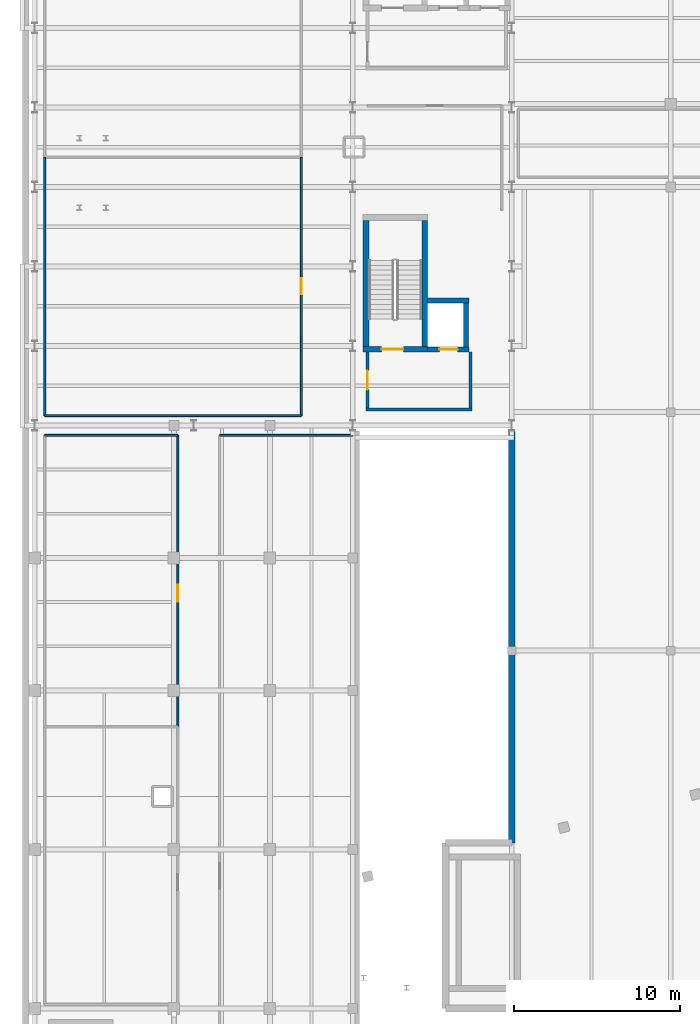
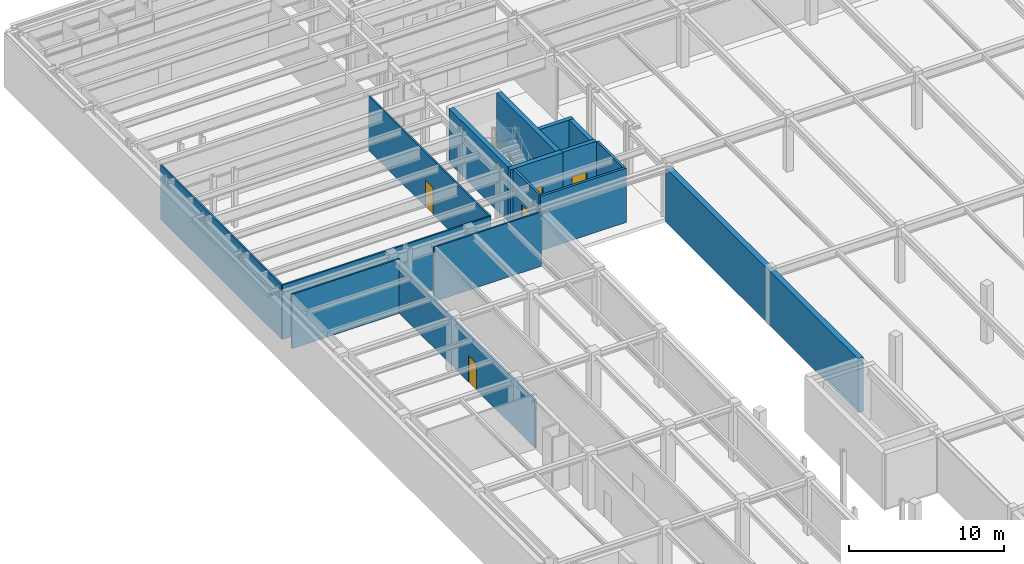
# One storey, part 20 of 32: 16 walls, 5 doors, 5 openings.
"""IFC4 building model written with IfcOpenShell, lengths in metres."""

from ifc_helpers import new_model, si_unit, direction, frame, frame_2d, origin, place, context, subcontext, project, spatial, rectangle, extrude, material, layer, layer_set, type_object, element, fill, save


model = new_model("IFC4")

# Units and contexts
model_context = context("Model", 3, precision=1e-05, world=origin(), true_north=direction((0.0, 1.0)))
body_context = subcontext(model_context, "Body", "Model", "MODEL_VIEW")
ifc_project = project(units=[si_unit("LENGTHUNIT", "METRE"), si_unit("AREAUNIT", "SQUARE_METRE"), si_unit("VOLUMEUNIT", "CUBIC_METRE"), si_unit("PLANEANGLEUNIT", "RADIAN"), si_unit("MASSUNIT", "GRAM", prefix="KILO")], contexts=[model_context])

# Site, building, storey
site_placement = place(None, origin())
site = spatial("IfcSite", under=ifc_project, at=site_placement, CompositionType="ELEMENT")
building_placement = place(site_placement, origin())
building = spatial("IfcBuilding", under=site, at=building_placement, Name="Nordkorset Police Headquarters", CompositionType="ELEMENT")
storey_placement = place(building_placement, frame((0.0, 0.0, -4.550048828125)))
storey = spatial("IfcBuildingStorey", under=building, at=storey_placement, Name="B01", CompositionType="ELEMENT", Elevation=-4.550048828125)

# Wall
ifc_material_1 = material(Name="Gypsum board", Category="gypsum")
ifc_layer_1 = layer(ifc_material_1, 0.179931640625, Name="Gypsum board")
ifc_layer_set_1 = layer_set([ifc_layer_1], Name="Gypsum board")
wall_type_1 = type_object("IfcWallType", Name="Wall_Comp_180", PredefinedType="PARTITIONING", material=ifc_layer_set_1)
wall_1_placement = place(storey_placement, frame((20.0, 84.159912109375, 0.0), z_axis=(0.0, 0.0, 1.0), x_axis=(1.0, 0.0, 0.0)))
element("IfcWall", 1, at=wall_1_placement, inside=storey, type_object=wall_type_1, Name="Firefighting Lobby EI 60 Wall K3 B01 S", PredefinedType="PARTITIONING", context=body_context, shape_type="SweptSolid", body=[
    extrude(rectangle(XDim=6.39990234375, YDim=0.179931640625, at=frame_2d((3.199951171875, 0.0))), origin(), (0.0, 0.0, 1.0), 4.280029296875),
])

# Wall, opening, door
wall_2_placement = place(storey_placement, frame((20.090087890625, 84.25, 0.0), z_axis=(0.0, 0.0, 1.0), x_axis=(0.0, 1.0, 0.0)))
wall_2 = element("IfcWall", 2, at=wall_2_placement, inside=storey, type_object=wall_type_1, Name="Firefighting Lobby EI 60 Wall K3 B01 W", PredefinedType="PARTITIONING", context=body_context, shape_type="SweptSolid", body=[
    extrude(rectangle(XDim=3.375, YDim=0.179931640625, at=frame_2d((1.6875, 0.0))), origin(), (0.0, 0.0, 1.0), 4.280029296875),
])
opening_1_placement = place(wall_2_placement, frame((1.112548828125, 0.0, 0.0)))
opening_1 = element("IfcOpeningElement", 3, at=opening_1_placement, cuts=wall_2, Name="Opening DR-01", PredefinedType="OPENING", context=body_context, shape_type="SweptSolid", body=[
    extrude(rectangle(XDim=1.14990234375, YDim=2.14990234375, at=frame_2d((0.574951171875, 1.074951171875))), frame((0.0, 0.10009765625, 0.0), z_axis=(0.0, -1.0, 0.0), x_axis=(1.0, 0.0, 0.0)), (0.0, 0.0, 1.0), 0.199951171875),
])
ifc_material_2 = material(Name="Steel S355J2", Category="steel")
door_type_1 = type_object("IfcDoorType", Name="Door_LobbySingle_1150x2150", OperationType="NOTDEFINED", PredefinedType="DOOR", material=ifc_material_2)
door_1_placement = place(opening_1_placement, origin())
door_1 = element("IfcDoor", 4, at=door_1_placement, inside=storey, type_object=door_type_1, Name="Firefighting Lobby Smoke Door K3 B01 W", OperationType="SINGLE_SWING_RIGHT", OverallHeight=2.14990234375, OverallWidth=1.14990234375, PredefinedType="DOOR", context=body_context, shape_type="SweptSolid", body=[
    extrude(rectangle(XDim=1.14990234375, YDim=2.14990234375, at=frame_2d((0.574951171875, 1.074951171875))), frame((0.0, 0.02490234375, 0.0), z_axis=(0.0, -1.0, 0.0), x_axis=(1.0, 0.0, 0.0)), (0.0, 0.0, 1.0), 0.050048828125),
])
fill(opening_1, door_1)

# Wall
wall_3_placement = place(storey_placement, frame((26.31005859375, 84.25, 0.0), z_axis=(0.0, 0.0, 1.0), x_axis=(0.0, 1.0, 0.0)))
element("IfcWall", 5, at=wall_3_placement, inside=storey, type_object=wall_type_1, Name="Firefighting Lobby EI 60 Wall K3 B01 E", PredefinedType="PARTITIONING", context=body_context, shape_type="SweptSolid", body=[
    extrude(rectangle(XDim=3.375, YDim=0.179931640625, at=frame_2d((1.6875, 0.0))), origin(), (0.0, 0.0, 1.0), 4.280029296875),
])

# Wall, opening, door
ifc_material_3 = material(Name="Concrete C35/45", Category="concrete")
ifc_layer_2 = layer(ifc_material_3, 0.35009765625, Name="Concrete C35/45")
ifc_layer_set_2 = layer_set([ifc_layer_2], Name="Concrete C35/45")
wall_type_2 = type_object("IfcWallType", Name="Wall_CoreShear_350", PredefinedType="SHEAR", material=ifc_layer_set_2)
wall_4_placement = place(storey_placement, frame((19.824951171875, 87.800048828125, 0.0), z_axis=(0.0, 0.0, 1.0), x_axis=(1.0, 0.0, 0.0)))
wall_4 = element("IfcWall", 6, at=wall_4_placement, inside=storey, type_object=wall_type_2, Name="Core K3 Stair Shaft South Shear Wall B01", PredefinedType="SHEAR", context=body_context, shape_type="SweptSolid", body=[
    extrude(rectangle(XDim=3.900146484375, YDim=0.35009765625, at=frame_2d((1.9501953125, 0.0))), origin(), (0.0, 0.0, 1.0), 4.280029296875),
])
opening_2_placement = place(wall_4_placement, frame((1.125, 0.0, 0.0)))
opening_2 = element("IfcOpeningElement", 7, at=opening_2_placement, cuts=wall_4, Name="Opening DR-20", PredefinedType="OPENING", context=body_context, shape_type="SweptSolid", body=[
    extrude(rectangle(XDim=1.300048828125, YDim=2.14990234375, at=frame_2d((0.64990234375, 1.074951171875))), frame((0.0, 0.18505859375, 0.0), z_axis=(0.0, -1.0, 0.0), x_axis=(1.0, 0.0, 0.0)), (0.0, 0.0, 1.0), 0.3701171875),
])
ifc_material_4 = material(Name="Steel S355J2", Category="steel")
door_type_2 = type_object("IfcDoorType", Name="Door_Stair_1300x2150", OperationType="NOTDEFINED", PredefinedType="DOOR", material=ifc_material_4)
door_2_placement = place(opening_2_placement, frame((1.300048828125, 0.0, 0.0), z_axis=(0.0, 0.0, 1.0), x_axis=(-1.0, 0.0, 0.0)))
door_2 = element("IfcDoor", 8, at=door_2_placement, inside=storey, type_object=door_type_2, Name="Protected Stair Fire Door ST-03 B01", OperationType="SINGLE_SWING_LEFT", OverallHeight=2.14990234375, OverallWidth=1.300048828125, PredefinedType="DOOR", context=body_context, shape_type="SweptSolid", body=[
    extrude(rectangle(XDim=1.300048828125, YDim=2.14990234375, at=frame_2d((0.64990234375, 1.074951171875))), frame((0.0, 0.02490234375, 0.0), z_axis=(0.0, -1.0, 0.0), x_axis=(1.0, 0.0, 0.0)), (0.0, 0.0, 1.0), 0.050048828125),
])
fill(opening_2, door_2)

# Walls
for number, where, z_axis, x_axis, name in (
    (9, (20.0, 87.97509765625, 0.0), (0.0, 0.0, 1.0), (0.0, 1.0, 0.0), "Core K3 Stair Shaft West Shear Wall B01"),
    (10, (23.550048828125, 87.97509765625, 0.0), (0.0, 0.0, 1.0), (0.0, 1.0, 0.0), "Core K3 Stair Shaft East Shear Wall B01"),
):
    element("IfcWall", number, at=place(storey_placement, frame(where, z_axis=z_axis, x_axis=x_axis)), inside=storey, type_object=wall_type_2, Name=name, PredefinedType="SHEAR", context=body_context, shape_type="SweptSolid", body=[
        extrude(rectangle(XDim=7.599853515625, YDim=0.35009765625, at=frame_2d((3.7998046875, 0.0))), origin(), (0.0, 0.0, 1.0), 4.280029296875),
    ])
ifc_material_5 = material(Name="Gypsum board", Category="gypsum")
ifc_layer_3 = layer(ifc_material_5, 0.1201171875, Name="Gypsum board")
ifc_layer_set_3 = layer_set([ifc_layer_3], Name="Gypsum board")
wall_type_3 = type_object("IfcWallType", Name="Wall_Part_120", PredefinedType="PARTITIONING", material=ifc_layer_set_3)
wall_5_placement = place(storey_placement, frame((0.60009765625, 83.800048828125, 0.0), z_axis=(0.0, 0.0, 1.0), x_axis=(1.0, 0.0, 0.0)))
element("IfcWall", 11, at=wall_5_placement, inside=storey, type_object=wall_type_3, Name="Interior Partition Wall Patrol Shift Mustering Room", PredefinedType="PARTITIONING", context=body_context, shape_type="SweptSolid", body=[
    extrude(rectangle(XDim=15.5, YDim=0.1201171875, at=frame_2d((7.75, 0.0))), origin(), (0.0, 0.0, 1.0), 4.280029296875),
])

# Wall, opening, door
wall_6_placement = place(storey_placement, frame((16.10009765625, 83.800048828125, 0.0), z_axis=(0.0, 0.0, 1.0), x_axis=(0.0, 1.0, 0.0)))
wall_6 = element("IfcWall", 12, at=wall_6_placement, inside=storey, type_object=wall_type_3, Name="Interior Partition Wall Patrol Shift Mustering Room", PredefinedType="PARTITIONING", context=body_context, shape_type="SweptSolid", body=[
    extrude(rectangle(XDim=15.599853515625, YDim=0.1201171875, at=frame_2d((7.7998046875, 0.0))), origin(), (0.0, 0.0, 1.0), 4.280029296875),
])
opening_3_placement = place(wall_6_placement, frame((7.31005859375, 0.0, 0.0)))
opening_3 = element("IfcOpeningElement", 13, at=opening_3_placement, cuts=wall_6, Name="Opening DR-18", PredefinedType="OPENING", context=body_context, shape_type="SweptSolid", body=[
    extrude(rectangle(XDim=0.97998046875, YDim=2.10009765625, at=frame_2d((0.489990234375, 1.050048828125))), frame((0.0, 0.070068359375, 0.0), z_axis=(0.0, -1.0, 0.0), x_axis=(1.0, 0.0, 0.0)), (0.0, 0.0, 1.0), 0.14013671875),
])
ifc_material_6 = material(Name="Glulam GL30c", Category="wood")
door_type_3 = type_object("IfcDoorType", Name="Door_Office_980x2100", OperationType="NOTDEFINED", PredefinedType="DOOR", material=ifc_material_6)
door_3_placement = place(opening_3_placement, frame((0.97998046875, 0.0, 0.0), z_axis=(0.0, 0.0, 1.0), x_axis=(-1.0, 0.0, 0.0)))
door_3 = element("IfcDoor", 14, at=door_3_placement, inside=storey, type_object=door_type_3, Name="Interior Door Patrol Shift Mustering Room", OperationType="SINGLE_SWING_RIGHT", OverallHeight=2.10009765625, OverallWidth=0.97998046875, PredefinedType="DOOR", context=body_context, shape_type="SweptSolid", body=[
    extrude(rectangle(XDim=0.97998046875, YDim=2.10009765625, at=frame_2d((0.489990234375, 1.050048828125))), frame((0.0, 0.02490234375, 0.0), z_axis=(0.0, -1.0, 0.0), x_axis=(1.0, 0.0, 0.0)), (0.0, 0.0, 1.0), 0.050048828125),
])
fill(opening_3, door_3)

# Wall
wall_7_placement = place(storey_placement, frame((0.60009765625, 99.39990234375, 0.0), z_axis=(0.0, 0.0, 1.0), x_axis=(0.0, -1.0, 0.0)))
element("IfcWall", 15, at=wall_7_placement, inside=storey, type_object=wall_type_3, Name="Interior Partition Wall Patrol Shift Mustering Room", PredefinedType="PARTITIONING", context=body_context, shape_type="SweptSolid", body=[
    extrude(rectangle(XDim=15.599853515625, YDim=0.1201171875, at=frame_2d((7.7998046875, 0.0))), origin(), (0.0, 0.0, 1.0), 4.280029296875),
])

# Wall, opening, door
wall_8_placement = place(storey_placement, frame((8.639892578125, 65.054931640625, 0.0), z_axis=(0.0, 0.0, 1.0), x_axis=(0.0, 1.0, 0.0)))
wall_8 = element("IfcWall", 16, at=wall_8_placement, inside=storey, type_object=wall_type_3, Name="Interior Partition Wall Forensic Garment Drying Room", PredefinedType="PARTITIONING", context=body_context, shape_type="SweptSolid", body=[
    extrude(rectangle(XDim=17.545166015625, YDim=0.1201171875, at=frame_2d((8.7724609375, 0.0))), origin(), (0.0, 0.0, 1.0), 3.820068359375),
])
opening_4_placement = place(wall_8_placement, frame((7.512451171875, 0.0, 0.0)))
opening_4 = element("IfcOpeningElement", 17, at=opening_4_placement, cuts=wall_8, Name="Opening DR-19", PredefinedType="OPENING", context=body_context, shape_type="SweptSolid", body=[
    extrude(rectangle(XDim=1.02001953125, YDim=2.10009765625, at=frame_2d((0.510009765625, 1.050048828125))), frame((0.0, 0.070068359375, 0.0), z_axis=(0.0, -1.0, 0.0), x_axis=(1.0, 0.0, 0.0)), (0.0, 0.0, 1.0), 0.14013671875),
])
ifc_material_7 = material(Name="Glulam GL30c", Category="wood")
door_type_4 = type_object("IfcDoorType", Name="Door_Office_1020x2100", OperationType="NOTDEFINED", PredefinedType="DOOR", material=ifc_material_7)
door_4_placement = place(opening_4_placement, origin())
door_4 = element("IfcDoor", 18, at=door_4_placement, inside=storey, type_object=door_type_4, Name="Interior Door Forensic Garment Drying Room", OperationType="SINGLE_SWING_LEFT", OverallHeight=2.10009765625, OverallWidth=1.02001953125, PredefinedType="DOOR", context=body_context, shape_type="SweptSolid", body=[
    extrude(rectangle(XDim=1.02001953125, YDim=2.10009765625, at=frame_2d((0.510009765625, 1.050048828125))), frame((0.0, 0.02490234375, 0.0), z_axis=(0.0, -1.0, 0.0), x_axis=(1.0, 0.0, 0.0)), (0.0, 0.0, 1.0), 0.050048828125),
])
fill(opening_4, door_4)

# Walls
wall_9_placement = place(storey_placement, frame((8.639892578125, 82.60009765625, 0.0), z_axis=(0.0, 0.0, 1.0), x_axis=(-1.0, 0.0, 0.0)))
element("IfcWall", 19, at=wall_9_placement, inside=storey, type_object=wall_type_3, Name="Interior Partition Wall Forensic Garment Drying Room", PredefinedType="PARTITIONING", context=body_context, shape_type="SweptSolid", body=[
    extrude(rectangle(XDim=8.039794921875, YDim=0.1201171875, at=frame_2d((4.02001953125, 0.0))), origin(), (0.0, 0.0, 1.0), 4.280029296875),
])
wall_10_placement = place(storey_placement, frame((19.205078125, 82.60009765625, 0.0), z_axis=(0.0, 0.0, 1.0), x_axis=(-1.0, 0.0, 0.0)))
element("IfcWall", 20, at=wall_10_placement, inside=storey, type_object=wall_type_3, Name="Interior Partition Wall Quartermaster Uniform and Kit Issue Room", PredefinedType="PARTITIONING", context=body_context, shape_type="SweptSolid", body=[
    extrude(rectangle(XDim=8.045166015625, YDim=0.1201171875, at=frame_2d((4.0224609375, 0.0))), origin(), (0.0, 0.0, 1.0), 4.280029296875),
])
ifc_material_8 = material(Name="Concrete C40/50", Category="concrete")
ifc_layer_4 = layer(ifc_material_8, 0.39990234375, Name="Concrete C40/50")
ifc_layer_set_4 = layer_set([ifc_layer_4], Name="Concrete C40/50")
wall_type_4 = type_object("IfcWallType", Name="Wall_Retaining_400", PredefinedType="USERDEFINED", material=ifc_layer_set_4)
wall_11_placement = place(storey_placement, frame((28.800048828125, 58.0, 0.0), z_axis=(0.0, 0.0, 1.0), x_axis=(0.0, 1.0, 0.0)))
element("IfcWall", 21, at=wall_11_placement, inside=storey, type_object=wall_type_4, Name="Basement Perimeter Retaining Wall B01 W-S2F", ObjectType="RETAINING WALL", PredefinedType="USERDEFINED", context=body_context, shape_type="SweptSolid", body=[
    extrude(rectangle(XDim=24.875, YDim=0.39990234375, at=frame_2d((12.4375, 0.0))), origin(), (0.0, 0.0, 1.0), 4.280029296875),
])

# Wall, opening, door
ifc_material_9 = material(Name="Concrete C35/45", Category="concrete")
ifc_layer_5 = layer(ifc_material_9, 0.300048828125, Name="Concrete C35/45")
ifc_layer_set_5 = layer_set([ifc_layer_5], Name="Concrete C35/45")
wall_type_5 = type_object("IfcWallType", Name="Wall_ShaftShear_300", PredefinedType="SHEAR", material=ifc_layer_set_5)
wall_12_placement = place(storey_placement, frame((23.72509765625, 87.800048828125, 0.0), z_axis=(0.0, 0.0, 1.0), x_axis=(1.0, 0.0, 0.0)))
wall_12 = element("IfcWall", 22, at=wall_12_placement, inside=storey, type_object=wall_type_5, Name="Lift Shaft LF-03 Front Shear Wall B01", PredefinedType="SHEAR", context=body_context, shape_type="SweptSolid", body=[
    extrude(rectangle(XDim=2.5, YDim=0.300048828125, at=frame_2d((1.25, 0.0))), origin(), (0.0, 0.0, 1.0), 4.280029296875),
])
opening_5_placement = place(wall_12_placement, frame((0.699951171875, 0.0, 0.0)))
opening_5 = element("IfcOpeningElement", 23, at=opening_5_placement, cuts=wall_12, Name="Opening LD-03", PredefinedType="OPENING", context=body_context, shape_type="SweptSolid", body=[
    extrude(rectangle(XDim=1.10009765625, YDim=2.10009765625, at=frame_2d((0.550048828125, 1.050048828125))), frame((0.0, 0.16015625, 0.0), z_axis=(0.0, -1.0, 0.0), x_axis=(1.0, 0.0, 0.0)), (0.0, 0.0, 1.0), 0.320068359375),
])
ifc_material_10 = material(Name="Steel S355J2", Category="steel")
door_type_5 = type_object("IfcDoorType", Name="Door_LiftLanding_1100x2100", OperationType="SLIDING_TO_LEFT", PredefinedType="DOOR", material=ifc_material_10)
door_5_placement = place(opening_5_placement, frame((1.10009765625, 0.0, 0.0), z_axis=(0.0, 0.0, 1.0), x_axis=(-1.0, 0.0, 0.0)))
door_5 = element("IfcDoor", 24, at=door_5_placement, inside=storey, type_object=door_type_5, Name="Lift Landing Sliding Door LF-03 B01", OperationType="SLIDING_TO_LEFT", OverallHeight=2.10009765625, OverallWidth=1.10009765625, PredefinedType="DOOR", context=body_context, shape_type="SweptSolid", body=[
    extrude(rectangle(XDim=1.10009765625, YDim=2.10009765625, at=frame_2d((0.550048828125, 1.050048828125))), frame((0.0, 0.02490234375, 0.0), z_axis=(0.0, -1.0, 0.0), x_axis=(1.0, 0.0, 0.0)), (0.0, 0.0, 1.0), 0.050048828125),
])
fill(opening_5, door_5)

# Walls
wall_13_placement = place(storey_placement, frame((23.72509765625, 90.75, 0.0), z_axis=(0.0, 0.0, 1.0), x_axis=(1.0, 0.0, 0.0)))
element("IfcWall", 25, at=wall_13_placement, inside=storey, type_object=wall_type_5, Name="Lift Shaft LF-03 Rear Shear Wall B01", PredefinedType="SHEAR", context=body_context, shape_type="SweptSolid", body=[
    extrude(rectangle(XDim=2.5, YDim=0.300048828125, at=frame_2d((1.25, 0.0))), origin(), (0.0, 0.0, 1.0), 4.280029296875),
])
wall_14_placement = place(storey_placement, frame((26.050048828125, 87.949951171875, 0.0), z_axis=(0.0, 0.0, 1.0), x_axis=(0.0, 1.0, 0.0)))
element("IfcWall", 26, at=wall_14_placement, inside=storey, type_object=wall_type_5, Name="Lift Shaft LF-03 East Shear Wall B01", PredefinedType="SHEAR", context=body_context, shape_type="SweptSolid", body=[
    extrude(rectangle(XDim=2.650146484375, YDim=0.300048828125, at=frame_2d((1.3251953125, 0.0))), origin(), (0.0, 0.0, 1.0), 4.280029296875),
])

save(model, "model.ifc")
